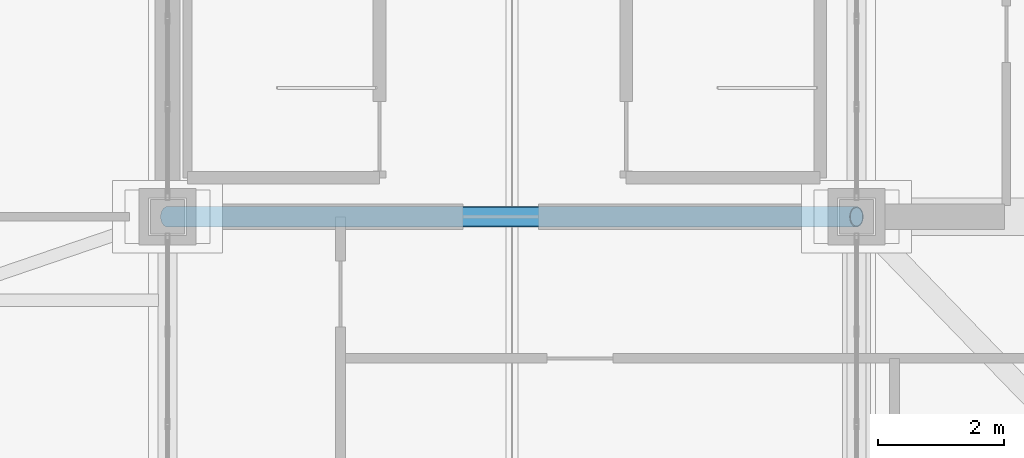
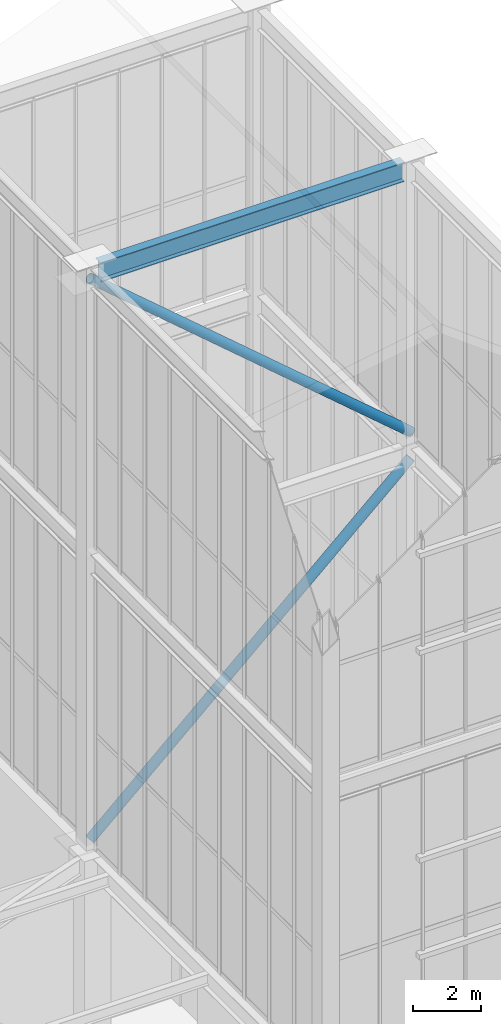
# One storey, part 10 of 135: 2 members, 1 beam.
"""IFC4 building model written with IfcOpenShell, lengths in metres."""

from ifc_helpers import new_model, si_unit, direction, frame, origin, origin_2d, place, context, subcontext, project, spatial, hollow_circle, i_section, extrude, source, transform, mapped, material, material_profile, profile_set, type_object, element, save


model = new_model("IFC4")

# Units and contexts
model_context = context("Model", 3, precision=1e-05, world=origin(), true_north=direction((0.0, 1.0)))
body_context = subcontext(model_context, "Body", "Model", "MODEL_VIEW")
ifc_project = project(units=[si_unit("LENGTHUNIT", "METRE"), si_unit("AREAUNIT", "SQUARE_METRE"), si_unit("VOLUMEUNIT", "CUBIC_METRE"), si_unit("PLANEANGLEUNIT", "RADIAN"), si_unit("MASSUNIT", "GRAM", prefix="KILO")], contexts=[model_context])

# Site, building, storey
site_placement = place(None, origin())
site = spatial("IfcSite", under=ifc_project, at=site_placement, CompositionType="ELEMENT")
building_placement = place(site_placement, origin())
building = spatial("IfcBuilding", under=site, at=building_placement, Name="Giltprow Tower", CompositionType="ELEMENT")
storey_placement = place(building_placement, frame((0.0, 0.0, 352.699951171875)))
storey = spatial("IfcBuildingStorey", under=building, at=storey_placement, Name="L92", CompositionType="ELEMENT", Elevation=352.699951171875)

# Beam
ifc_material = material(Name="Structural steel Q355B", Category="steel")
ifc_material_profile_1 = material_profile(ifc_material, i_section(OverallWidth=0.300048828125, OverallDepth=0.699951171875, WebThickness=0.012939453125, FlangeThickness=0.02392578125, at=origin_2d()), Name="HN 700x300x13x24")
ifc_profile_set_1 = profile_set([ifc_material_profile_1], Name="Structural steel Q355B")
beam_type = type_object("IfcBeamType", Name="BM-GIRD-HN700", PredefinedType="BEAM", material=ifc_profile_set_1)
shared_shape_1 = source(origin(), body_context, "Body", "SweptSolid", [
    extrude(i_section(OverallWidth=0.300048828125, OverallDepth=0.699951171875, WebThickness=0.012939453125, FlangeThickness=0.02392578125, at=origin_2d()), origin(), (0.0, 0.0, 1.0), 10.39013671875),
])
beam_placement = place(storey_placement, frame((20.1298828125, 37.449951171875, 27.01708984375), z_axis=(1.0, 0.0, 0.0), x_axis=(0.0, 1.0, 0.0)))
element("IfcBeam", 1, at=beam_placement, inside=storey, type_object=beam_type, Name="Crown West Internal Cross Beam 2", PredefinedType="BEAM", context=body_context, shape_type="MappedRepresentation", body=[
    mapped(shared_shape_1, transform((0.0, 0.0, 0.0), x_axis=(1.0, 0.0, 0.0), y_axis=(0.0, 1.0, 0.0), z_axis=(0.0, 0.0, 1.0), scale=1.0)),
])

# Members
ifc_material_profile_2 = material_profile(ifc_material, hollow_circle(Radius=0.16259765625, WallThickness=0.01611328125, at=origin_2d()), Name="CHS 325x16")
ifc_profile_set_2 = profile_set([ifc_material_profile_2], Name="Structural steel Q355B")
member_type = type_object("IfcMemberType", Name="MBR-CRN-CHS325", PredefinedType="BRACE", material=ifc_profile_set_2)
shared_shape_2 = source(origin(), body_context, "Body", "SweptSolid", [
    extrude(hollow_circle(Radius=0.16259765625, WallThickness=0.01611328125, at=origin_2d()), origin(), (0.0, 0.0, 1.0), 14.79541015625),
])
member_1_placement = place(storey_placement, frame((19.85009765625, 37.449951171875, 6.550048828125), z_axis=(0.740093119214, 0.0, 0.67250440511), x_axis=(0.0, 1.0, 0.0)))
element("IfcMember", 2, at=member_1_placement, inside=storey, type_object=member_type, Name="Crown Frame West Internal Brace 1", PredefinedType="BRACE", context=body_context, shape_type="MappedRepresentation", body=[
    mapped(shared_shape_2, transform((0.0, 0.0, 0.0), x_axis=(1.0, 0.0, 0.0), y_axis=(0.0, 1.0, 0.0), z_axis=(0.0, 0.0, 1.0), scale=1.0)),
])
shared_shape_3 = source(origin(), body_context, "Body", "SweptSolid", [
    extrude(hollow_circle(Radius=0.16259765625, WallThickness=0.01611328125, at=origin_2d()), origin(), (0.0, 0.0, 1.0), 14.409912109375),
])
member_2_placement = place(storey_placement, frame((30.800048828125, 37.449951171875, 17.449951171875), z_axis=(-0.759890092757, 0.0, 0.650051572516), x_axis=(0.0, -1.0, 0.0)))
element("IfcMember", 3, at=member_2_placement, inside=storey, type_object=member_type, Name="Crown Frame West Internal Brace 2", PredefinedType="BRACE", context=body_context, shape_type="MappedRepresentation", body=[
    mapped(shared_shape_3, transform((0.0, 0.0, 0.0), x_axis=(1.0, 0.0, 0.0), y_axis=(0.0, 1.0, 0.0), z_axis=(0.0, 0.0, 1.0), scale=1.0)),
])

save(model, "model.ifc")
